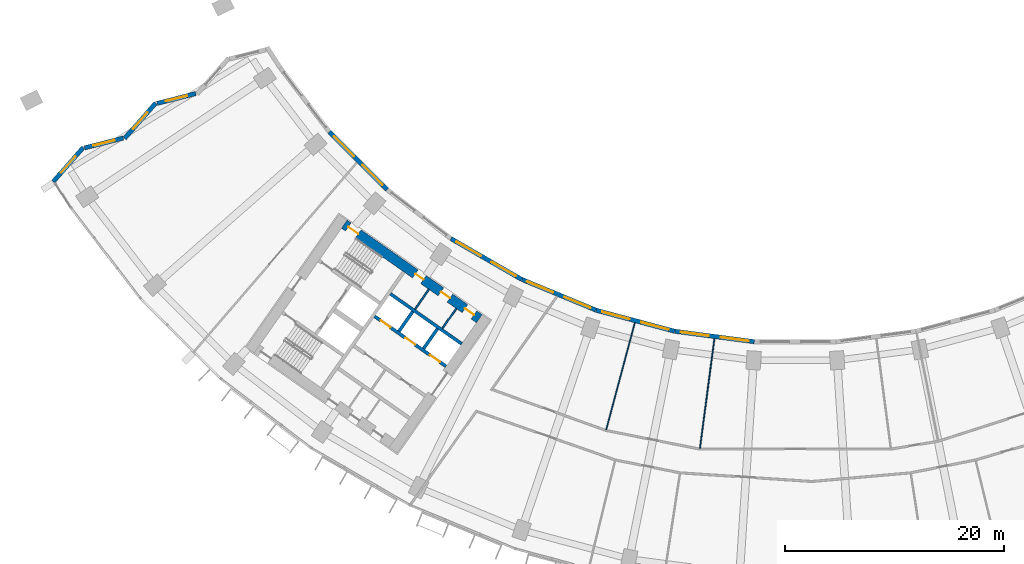
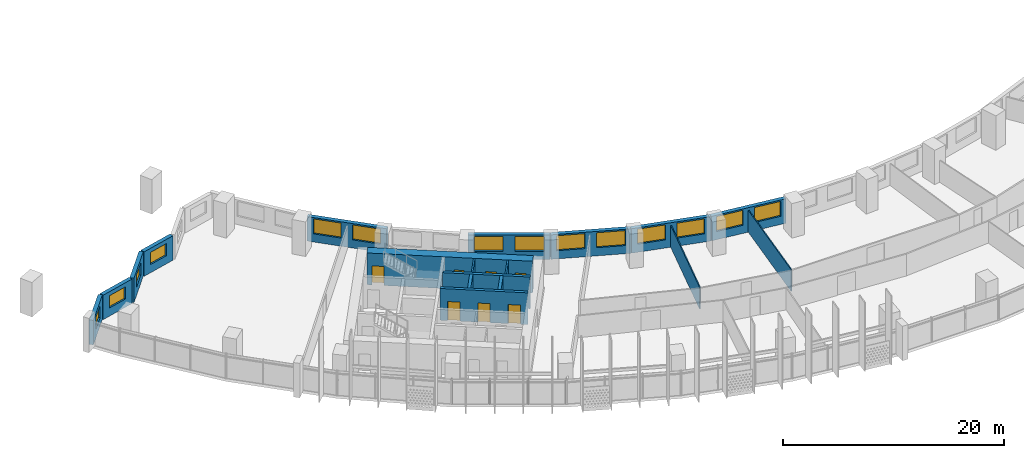
# One storey, part 4 of 32: 18 walls, 14 windows, 7 doors, 21 openings.
"""IFC4 building model written with IfcOpenShell, lengths in metres."""

from ifc_helpers import new_model, si_unit, direction, frame, frame_2d, origin, place, context, subcontext, project, spatial, rectangle, extrude, material, layer, layer_set, type_object, element, fill, save


model = new_model("IFC4")

# Units and contexts
model_context = context("Model", 3, precision=1e-05, world=origin(), true_north=direction((0.0, 1.0)))
body_context = subcontext(model_context, "Body", "Model", "MODEL_VIEW")
ifc_project = project(units=[si_unit("LENGTHUNIT", "METRE"), si_unit("AREAUNIT", "SQUARE_METRE"), si_unit("VOLUMEUNIT", "CUBIC_METRE"), si_unit("PLANEANGLEUNIT", "RADIAN"), si_unit("MASSUNIT", "GRAM", prefix="KILO")], contexts=[model_context])

# Site, building, storey
site_placement = place(None, origin())
site = spatial("IfcSite", under=ifc_project, at=site_placement, CompositionType="ELEMENT")
building_placement = place(site_placement, origin())
building = spatial("IfcBuilding", under=site, at=building_placement, Name="Qamariyya Broadcast Tower", CompositionType="ELEMENT")
storey_placement = place(building_placement, frame((0.0, 0.0, 70.89990234375)))
storey = spatial("IfcBuildingStorey", under=building, at=storey_placement, Name="L14", CompositionType="ELEMENT", Elevation=70.89990234375)

# Wall, openings, doors
ifc_material_1 = material(Name="Concrete C70/85", Category="concrete")
ifc_layer_1 = layer(ifc_material_1, 0.89990234375)
ifc_layer_set_1 = layer_set([ifc_layer_1], Name="Core wall 900 mm Concrete C70/85")
wall_type_1 = type_object("IfcWallType", Name="Core wall 900 mm Concrete C70/85", PredefinedType="SHEAR", material=ifc_layer_set_1)
wall_1_placement = place(storey_placement, frame((-28.8544921875, -54.32421875, 0.0), z_axis=(0.0, 0.0, 1.0), x_axis=(-0.819145767589, 0.573585400304, 0.0)))
wall_1 = element("IfcWall", 1, at=wall_1_placement, inside=storey, type_object=wall_type_1, Name="k-W-L14-WI", PredefinedType="SHEAR", context=body_context, shape_type="SweptSolid", body=[
    extrude(rectangle(XDim=15.04541015625, YDim=0.89990234375, at=frame_2d((7.522705078125, 0.0))), origin(), (0.0, 0.0, 1.0), 3.5),
])
opening_1_placement = place(wall_1_placement, frame((0.60009765625, 0.0, 0.0)))
opening_1 = element("IfcOpeningElement", 2, at=opening_1_placement, cuts=wall_1, Name="Opening KD7-W1", PredefinedType="OPENING", context=body_context, shape_type="SweptSolid", body=[
    extrude(rectangle(XDim=1.0, YDim=2.10009765625, at=frame_2d((0.5, 1.050048828125))), frame((0.0, 0.4599609375, 0.0), z_axis=(0.0, -1.0, 0.0), x_axis=(1.0, 0.0, 0.0)), (0.0, 0.0, 1.0), 0.919921875),
])
opening_2_placement = place(wall_1_placement, frame((3.27490234375, 0.0, 0.0)))
opening_2 = element("IfcOpeningElement", 3, at=opening_2_placement, cuts=wall_1, Name="Opening KD6-W2", PredefinedType="OPENING", context=body_context, shape_type="SweptSolid", body=[
    extrude(rectangle(XDim=1.0, YDim=2.10009765625, at=frame_2d((0.5, 1.050048828125))), frame((0.0, 0.4599609375, 0.0), z_axis=(0.0, -1.0, 0.0), x_axis=(1.0, 0.0, 0.0)), (0.0, 0.0, 1.0), 0.919921875),
])
opening_3_placement = place(wall_1_placement, frame((6.22509765625, 0.0, 0.0)))
opening_3 = element("IfcOpeningElement", 4, at=opening_3_placement, cuts=wall_1, Name="Opening KD5-W1", PredefinedType="OPENING", context=body_context, shape_type="SweptSolid", body=[
    extrude(rectangle(XDim=0.89990234375, YDim=2.10009765625, at=frame_2d((0.449951171875, 1.050048828125))), frame((0.0, 0.4599609375, 0.0), z_axis=(0.0, -1.0, 0.0), x_axis=(1.0, 0.0, 0.0)), (0.0, 0.0, 1.0), 0.919921875),
])
opening_4_placement = place(wall_1_placement, frame((13.495361328125, 0.0, 0.0)))
opening_4 = element("IfcOpeningElement", 5, at=opening_4_placement, cuts=wall_1, Name="Opening KD1-W1", PredefinedType="OPENING", context=body_context, shape_type="SweptSolid", body=[
    extrude(rectangle(XDim=1.10009765625, YDim=2.10009765625, at=frame_2d((0.550048828125, 1.050048828125))), frame((0.0, 0.4599609375, 0.0), z_axis=(0.0, -1.0, 0.0), x_axis=(1.0, 0.0, 0.0)), (0.0, 0.0, 1.0), 0.919921875),
])
ifc_material_2 = material(Name="Steel fire-resisting door leaf", Category="steel")
door_type_1 = type_object("IfcDoorType", Name="Accessible toilet door KD7", OperationType="SINGLE_SWING_LEFT", PredefinedType="DOOR", material=ifc_material_2)
door_1_placement = place(opening_1_placement, origin())
door_1 = element("IfcDoor", 6, at=door_1_placement, inside=storey, type_object=door_type_1, Name="k-W-L14-WI-D7", OperationType="SINGLE_SWING_RIGHT", OverallHeight=2.10009765625, OverallWidth=1.0, PredefinedType="DOOR", context=body_context, shape_type="SweptSolid", body=[
    extrude(rectangle(XDim=1.0, YDim=2.10009765625, at=frame_2d((0.5, 1.050048828125))), frame((0.0, 0.02490234375, 0.0), z_axis=(0.0, -1.0, 0.0), x_axis=(1.0, 0.0, 0.0)), (0.0, 0.0, 1.0), 0.050048828125),
])
fill(opening_1, door_1)
door_type_2 = type_object("IfcDoorType", Name="Core room door KD6", OperationType="SINGLE_SWING_LEFT", PredefinedType="DOOR", material=ifc_material_2)
door_2_placement = place(opening_2_placement, origin())
door_2 = element("IfcDoor", 7, at=door_2_placement, inside=storey, type_object=door_type_2, Name="k-W-L14-WI-D8", OperationType="SINGLE_SWING_LEFT", OverallHeight=2.10009765625, OverallWidth=1.0, PredefinedType="DOOR", context=body_context, shape_type="SweptSolid", body=[
    extrude(rectangle(XDim=1.0, YDim=2.10009765625, at=frame_2d((0.5, 1.050048828125))), frame((0.0, 0.02490234375, 0.0), z_axis=(0.0, -1.0, 0.0), x_axis=(1.0, 0.0, 0.0)), (0.0, 0.0, 1.0), 0.050048828125),
])
fill(opening_2, door_2)
door_type_3 = type_object("IfcDoorType", Name="Stair door KD1", OperationType="SINGLE_SWING_LEFT", PredefinedType="DOOR", material=ifc_material_2)
door_3_placement = place(opening_4_placement, origin())
door_3 = element("IfcDoor", 8, at=door_3_placement, inside=storey, type_object=door_type_3, Name="k-W-L14-WI-D16", OperationType="SINGLE_SWING_RIGHT", OverallHeight=2.10009765625, OverallWidth=1.10009765625, PredefinedType="DOOR", context=body_context, shape_type="SweptSolid", body=[
    extrude(rectangle(XDim=1.10009765625, YDim=2.10009765625, at=frame_2d((0.550048828125, 1.050048828125))), frame((0.0, 0.02490234375, 0.0), z_axis=(0.0, -1.0, 0.0), x_axis=(1.0, 0.0, 0.0)), (0.0, 0.0, 1.0), 0.050048828125),
])
fill(opening_4, door_3)
door_type_4 = type_object("IfcDoorType", Name="Toilet door KD5", OperationType="SINGLE_SWING_LEFT", PredefinedType="DOOR", material=ifc_material_2)
door_4_placement = place(opening_3_placement, origin())
door_4 = element("IfcDoor", 9, at=door_4_placement, inside=storey, type_object=door_type_4, Name="k-W-L14-WI-D9", OperationType="SINGLE_SWING_RIGHT", OverallHeight=2.10009765625, OverallWidth=0.89990234375, PredefinedType="DOOR", context=body_context, shape_type="SweptSolid", body=[
    extrude(rectangle(XDim=0.89990234375, YDim=2.10009765625, at=frame_2d((0.449951171875, 1.050048828125))), frame((0.0, 0.02490234375, 0.0), z_axis=(0.0, -1.0, 0.0), x_axis=(1.0, 0.0, 0.0)), (0.0, 0.0, 1.0), 0.050048828125),
])
fill(opening_3, door_4)

# Walls
ifc_material_3 = material(Name="Gypsum board partition on steel studs", Category="steel")
ifc_layer_2 = layer(ifc_material_3, 0.14990234375)
ifc_layer_set_2 = layer_set([ifc_layer_2], Name="Gypsum board partition 150 mm")
wall_type_2 = type_object("IfcWallType", Name="Gypsum board partition 150 mm", PredefinedType="PARTITIONING", material=ifc_layer_set_2)
wall_2_placement = place(storey_placement, frame((-32.2177734375, -55.204345703125, 0.0), z_axis=(0.0, 0.0, 1.0), x_axis=(0.573581496053, 0.819148501424, 0.0)))
element("IfcWall", 10, at=wall_2_placement, inside=storey, type_object=wall_type_2, Name="k-W-L14-NP225", PredefinedType="PARTITIONING", context=body_context, shape_type="SweptSolid", body=[
    extrude(rectangle(XDim=2.2001953125, YDim=0.14990234375, at=frame_2d((1.10009765625, 0.0))), origin(), (0.0, 0.0, 1.0), 3.5),
])
wall_3_placement = place(storey_placement, frame((-34.716064453125, -53.454833984375, 0.0), z_axis=(0.0, 0.0, 1.0), x_axis=(0.573507030513, 0.819200638399, 0.0)))
element("IfcWall", 11, at=wall_3_placement, inside=storey, type_object=wall_type_2, Name="k-W-L14-NP530", PredefinedType="PARTITIONING", context=body_context, shape_type="SweptSolid", body=[
    extrude(rectangle(XDim=2.199951171875, YDim=0.14990234375, at=frame_2d((1.10009765625, 0.0))), origin(), (0.0, 0.0, 1.0), 3.5),
])

# Wall, openings, doors
ifc_material_4 = material(Name="Concrete C60/75", Category="concrete")
ifc_layer_3 = layer(ifc_material_4, 0.300048828125)
ifc_layer_set_3 = layer_set([ifc_layer_3], Name="Lift shaft wall 300 mm Concrete C60/75")
wall_type_3 = type_object("IfcWallType", Name="Lift shaft wall 300 mm Concrete C60/75", PredefinedType="SOLIDWALL", material=ifc_layer_set_3)
wall_4_placement = place(storey_placement, frame((-31.89453125, -58.66552734375, 0.0), z_axis=(0.0, 0.0, 1.0), x_axis=(-0.819166993208, 0.573555086491, 0.0)))
wall_4 = element("IfcWall", 12, at=wall_4_placement, inside=storey, type_object=wall_type_3, Name="k-W-L14-NF0", PredefinedType="SOLIDWALL", context=body_context, shape_type="SweptSolid", body=[
    extrude(rectangle(XDim=7.9501953125, YDim=0.300048828125, at=frame_2d((3.97509765625, 0.0))), origin(), (0.0, 0.0, 1.0), 3.5),
])
opening_5_placement = place(wall_4_placement, frame((0.675048828125, 0.0, 0.0)))
opening_5 = element("IfcOpeningElement", 13, at=opening_5_placement, cuts=wall_4, Name="Opening LD", PredefinedType="OPENING", context=body_context, shape_type="SweptSolid", body=[
    extrude(rectangle(XDim=1.10009765625, YDim=2.10009765625, at=frame_2d((0.550048828125, 1.050048828125))), frame((0.0, 0.159912109375, 0.0), z_axis=(0.0, -1.0, 0.0), x_axis=(1.0, 0.0, 0.0)), (0.0, 0.0, 1.0), 0.320068359375),
])
opening_6_placement = place(wall_4_placement, frame((3.425048828125, 0.0, 0.0)))
opening_6 = element("IfcOpeningElement", 14, at=opening_6_placement, cuts=wall_4, Name="Opening LD", PredefinedType="OPENING", context=body_context, shape_type="SweptSolid", body=[
    extrude(rectangle(XDim=1.10009765625, YDim=2.10009765625, at=frame_2d((0.550048828125, 1.050048828125))), frame((0.0, 0.159912109375, 0.0), z_axis=(0.0, -1.0, 0.0), x_axis=(1.0, 0.0, 0.0)), (0.0, 0.0, 1.0), 0.320068359375),
])
opening_7_placement = place(wall_4_placement, frame((6.175048828125, 0.0, 0.0)))
opening_7 = element("IfcOpeningElement", 15, at=opening_7_placement, cuts=wall_4, Name="Opening LD", PredefinedType="OPENING", context=body_context, shape_type="SweptSolid", body=[
    extrude(rectangle(XDim=1.10009765625, YDim=2.10009765625, at=frame_2d((0.550048828125, 1.050048828125))), frame((0.0, 0.159912109375, 0.0), z_axis=(0.0, -1.0, 0.0), x_axis=(1.0, 0.0, 0.0)), (0.0, 0.0, 1.0), 0.320068359375),
])
door_type_5 = type_object("IfcDoorType", Name="Lift landing door LD", OperationType="DOUBLE_DOOR_SLIDING", PredefinedType="DOOR", material=ifc_material_2)
door_5_placement = place(opening_5_placement, origin())
door_5 = element("IfcDoor", 16, at=door_5_placement, inside=storey, type_object=door_type_5, Name="k-W-L14-NF0-D2", OperationType="DOUBLE_DOOR_SLIDING", OverallHeight=2.10009765625, OverallWidth=1.10009765625, PredefinedType="DOOR", context=body_context, shape_type="SweptSolid", body=[
    extrude(rectangle(XDim=1.10009765625, YDim=2.10009765625, at=frame_2d((0.550048828125, 1.050048828125))), frame((0.0, 0.02490234375, 0.0), z_axis=(0.0, -1.0, 0.0), x_axis=(1.0, 0.0, 0.0)), (0.0, 0.0, 1.0), 0.050048828125),
])
fill(opening_5, door_5)
door_6_placement = place(opening_6_placement, origin())
door_6 = element("IfcDoor", 17, at=door_6_placement, inside=storey, type_object=door_type_5, Name="k-W-L14-NF0-D3", OperationType="DOUBLE_DOOR_SLIDING", OverallHeight=2.10009765625, OverallWidth=1.10009765625, PredefinedType="DOOR", context=body_context, shape_type="SweptSolid", body=[
    extrude(rectangle(XDim=1.10009765625, YDim=2.10009765625, at=frame_2d((0.550048828125, 1.050048828125))), frame((0.0, 0.02490234375, 0.0), z_axis=(0.0, -1.0, 0.0), x_axis=(1.0, 0.0, 0.0)), (0.0, 0.0, 1.0), 0.050048828125),
])
fill(opening_6, door_6)
door_7_placement = place(opening_7_placement, origin())
door_7 = element("IfcDoor", 18, at=door_7_placement, inside=storey, type_object=door_type_5, Name="k-W-L14-NF0-D4", OperationType="DOUBLE_DOOR_SLIDING", OverallHeight=2.10009765625, OverallWidth=1.10009765625, PredefinedType="DOOR", context=body_context, shape_type="SweptSolid", body=[
    extrude(rectangle(XDim=1.10009765625, YDim=2.10009765625, at=frame_2d((0.550048828125, 1.050048828125))), frame((0.0, 0.02490234375, 0.0), z_axis=(0.0, -1.0, 0.0), x_axis=(1.0, 0.0, 0.0)), (0.0, 0.0, 1.0), 0.050048828125),
])
fill(opening_7, door_7)

# Walls
wall_5_placement = place(storey_placement, frame((-30.460693359375, -56.61767578125, 0.0), z_axis=(0.0, 0.0, 1.0), x_axis=(-0.819142461705, 0.573590121456, 0.0)))
element("IfcWall", 19, at=wall_5_placement, inside=storey, type_object=wall_type_3, Name="k-W-L14-NB0", PredefinedType="SOLIDWALL", context=body_context, shape_type="SweptSolid", body=[
    extrude(rectangle(XDim=7.949951171875, YDim=0.300048828125, at=frame_2d((3.97509765625, 0.0))), origin(), (0.0, 0.0, 1.0), 3.5),
])
wall_6_placement = place(storey_placement, frame((-33.9384765625, -57.051513671875, 0.0), z_axis=(0.0, 0.0, 1.0), x_axis=(0.573581496053, 0.819148501424, 0.0)))
element("IfcWall", 20, at=wall_6_placement, inside=storey, type_object=wall_type_3, Name="k-W-L14-ND0", PredefinedType="SOLIDWALL", context=body_context, shape_type="SweptSolid", body=[
    extrude(rectangle(XDim=2.2001953125, YDim=0.300048828125, at=frame_2d((1.10009765625, 0.0))), origin(), (0.0, 0.0, 1.0), 3.5),
])
wall_7_placement = place(storey_placement, frame((-36.19091796875, -55.47412109375, 0.0), z_axis=(0.0, 0.0, 1.0), x_axis=(0.573507030513, 0.819200638399, 0.0)))
element("IfcWall", 21, at=wall_7_placement, inside=storey, type_object=wall_type_3, Name="k-W-L14-ND1", PredefinedType="SOLIDWALL", context=body_context, shape_type="SweptSolid", body=[
    extrude(rectangle(XDim=2.199951171875, YDim=0.300048828125, at=frame_2d((1.10009765625, 0.0))), origin(), (0.0, 0.0, 1.0), 3.5),
])
ifc_material_5 = material(Name="Gypsum board partition")
ifc_layer_4 = layer(ifc_material_5, 0.10009765625)
ifc_layer_set_4 = layer_set([ifc_layer_4], Name="Partition 100")
wall_type_4 = type_object("IfcWallType", Name="Partition 100", PredefinedType="PARTITIONING", material=ifc_layer_set_4)
for number, where, z_axis, x_axis, name in (
    (22, (-14.65673828125, -54.69970703125, 0.0), (0.0, 0.0, 1.0), (-0.258825935876, -0.965923979885, 0.0), "Partition L14-009"),
    (23, (-7.3916015625, -56.144775390625, 0.0), (0.0, 0.0, 1.0), (-0.130538336764, -0.991443262439, 0.0), "Partition L14-013"),
):
    element("IfcWall", number, at=place(storey_placement, frame(where, z_axis=z_axis, x_axis=x_axis)), inside=storey, type_object=wall_type_4, Name=name, PredefinedType="PARTITIONING", context=body_context, shape_type="SweptSolid", body=[
        extrude(rectangle(XDim=10.095703125, YDim=0.10009765625, at=frame_2d((5.0478515625, 0.0))), origin(), (0.0, 0.0, 1.0), 2.400146484375),
    ])

# Wall, opening, window
ifc_material_6 = material(Name="Terracotta", Category="masonry")
ifc_layer_5 = layer(ifc_material_6, 0.39990234375)
ifc_layer_set_5 = layer_set([ifc_layer_5], Name="Terracotta clad wall 400")
wall_type_5 = type_object("IfcWallType", Name="Terracotta clad wall 400", PredefinedType="SOLIDWALL", material=ifc_layer_set_5)
wall_8_placement = place(storey_placement, frame((-54.7333984375, -33.766845703125, 0.0), z_axis=(0.0, 0.0, 1.0), x_axis=(-0.968917710624, -0.247383245266, 0.0)))
wall_8 = element("IfcWall", 24, at=wall_8_placement, inside=storey, type_object=wall_type_5, Name="e-wl-L14-capW2", PredefinedType="SOLIDWALL", context=body_context, shape_type="SweptSolid", body=[
    extrude(rectangle(XDim=3.6474609375, YDim=0.39990234375, at=frame_2d((1.82373046875, 0.0))), origin(), (0.0, 0.0, 1.0), 2.7001953125),
])
opening_8_placement = place(wall_8_placement, frame((0.82373046875, 0.0, 0.89990234375)))
opening_8 = element("IfcOpeningElement", 25, at=opening_8_placement, cuts=wall_8, Name="Opening W4", PredefinedType="OPENING", context=body_context, shape_type="SweptSolid", body=[
    extrude(rectangle(XDim=2.0, YDim=1.35009765625, at=frame_2d((1.0, 0.675048828125))), frame((0.0, 0.2099609375, 0.0), z_axis=(0.0, -1.0, 0.0), x_axis=(1.0, 0.0, 0.0)), (0.0, 0.0, 1.0), 0.419921875),
])
ifc_material_7 = material(Name="Clear low-e double glazed unit in aluminium frame", Category="aluminium")
window_type_1 = type_object("IfcWindowType", Name="Horn bay window 2000 x 1350", PartitioningType="SINGLE_PANEL", PredefinedType="WINDOW", material=ifc_material_7)
window_1_placement = place(opening_8_placement, origin())
window_1 = element("IfcWindow", 26, at=window_1_placement, inside=storey, type_object=window_type_1, Name="e-w-L14-capW2", OverallHeight=1.35009765625, OverallWidth=2.0, PartitioningType="SINGLE_PANEL", PredefinedType="WINDOW", context=body_context, shape_type="SweptSolid", body=[
    extrude(rectangle(XDim=2.0, YDim=1.35009765625, at=frame_2d((1.0, 0.675048828125))), frame((0.0, 0.030029296875, 0.0), z_axis=(0.0, -1.0, 0.0), x_axis=(1.0, 0.0, 0.0)), (0.0, 0.0, 1.0), 0.06005859375),
])
fill(opening_8, window_1)

wall_9_placement = place(storey_placement, frame((-58.39208984375, -34.636962890625, 0.0), z_axis=(0.0, 0.0, 1.0), x_axis=(-0.660434355072, -0.750883787707, 0.0)))
wall_9 = element("IfcWall", 27, at=wall_9_placement, inside=storey, type_object=wall_type_5, Name="e-wl-L14-capW3", PredefinedType="SOLIDWALL", context=body_context, shape_type="SweptSolid", body=[
    extrude(rectangle(XDim=4.29443359375, YDim=0.39990234375, at=frame_2d((2.147216796875, 0.0))), origin(), (0.0, 0.0, 1.0), 2.7001953125),
])
opening_9_placement = place(wall_9_placement, frame((1.147216796875, 0.0, 0.89990234375)))
opening_9 = element("IfcOpeningElement", 28, at=opening_9_placement, cuts=wall_9, Name="Opening W4", PredefinedType="OPENING", context=body_context, shape_type="SweptSolid", body=[
    extrude(rectangle(XDim=2.0, YDim=1.35009765625, at=frame_2d((1.0, 0.675048828125))), frame((0.0, 0.2099609375, 0.0), z_axis=(0.0, -1.0, 0.0), x_axis=(1.0, 0.0, 0.0)), (0.0, 0.0, 1.0), 0.419921875),
])
window_2_placement = place(opening_9_placement, origin())
window_2 = element("IfcWindow", 29, at=window_2_placement, inside=storey, type_object=window_type_1, Name="e-w-L14-capW3", OverallHeight=1.35009765625, OverallWidth=2.0, PartitioningType="SINGLE_PANEL", PredefinedType="WINDOW", context=body_context, shape_type="SweptSolid", body=[
    extrude(rectangle(XDim=2.0, YDim=1.35009765625, at=frame_2d((1.0, 0.675048828125))), frame((0.0, 0.030029296875, 0.0), z_axis=(0.0, -1.0, 0.0), x_axis=(1.0, 0.0, 0.0)), (0.0, 0.0, 1.0), 0.06005859375),
])
fill(opening_9, window_2)

wall_10_placement = place(storey_placement, frame((-61.352783203125, -37.829345703125, 0.0), z_axis=(0.0, 0.0, 1.0), x_axis=(-0.968885967077, -0.247507540899, 0.0)))
wall_10 = element("IfcWall", 30, at=wall_10_placement, inside=storey, type_object=wall_type_5, Name="e-wl-L14-capW4", PredefinedType="SOLIDWALL", context=body_context, shape_type="SweptSolid", body=[
    extrude(rectangle(XDim=3.648681640625, YDim=0.39990234375, at=frame_2d((1.82421875, 0.0))), origin(), (0.0, 0.0, 1.0), 2.7001953125),
])
opening_10_placement = place(wall_10_placement, frame((0.824462890625, 0.0, 0.89990234375)))
opening_10 = element("IfcOpeningElement", 31, at=opening_10_placement, cuts=wall_10, Name="Opening W4", PredefinedType="OPENING", context=body_context, shape_type="SweptSolid", body=[
    extrude(rectangle(XDim=2.0, YDim=1.35009765625, at=frame_2d((1.0, 0.675048828125))), frame((0.0, 0.2099609375, 0.0), z_axis=(0.0, -1.0, 0.0), x_axis=(1.0, 0.0, 0.0)), (0.0, 0.0, 1.0), 0.419921875),
])
window_3_placement = place(opening_10_placement, origin())
window_3 = element("IfcWindow", 32, at=window_3_placement, inside=storey, type_object=window_type_1, Name="e-w-L14-capW4", OverallHeight=1.35009765625, OverallWidth=2.0, PartitioningType="SINGLE_PANEL", PredefinedType="WINDOW", context=body_context, shape_type="SweptSolid", body=[
    extrude(rectangle(XDim=2.0, YDim=1.35009765625, at=frame_2d((1.0, 0.675048828125))), frame((0.0, 0.030029296875, 0.0), z_axis=(0.0, -1.0, 0.0), x_axis=(1.0, 0.0, 0.0)), (0.0, 0.0, 1.0), 0.06005859375),
])
fill(opening_10, window_3)

wall_11_placement = place(storey_placement, frame((-65.012451171875, -38.699951171875, 0.0), z_axis=(0.0, 0.0, 1.0), x_axis=(-0.660372824518, -0.750937901986, 0.0)))
wall_11 = element("IfcWall", 33, at=wall_11_placement, inside=storey, type_object=wall_type_5, Name="e-wl-L14-capW5", PredefinedType="SOLIDWALL", context=body_context, shape_type="SweptSolid", body=[
    extrude(rectangle(XDim=4.121826171875, YDim=0.39990234375, at=frame_2d((2.06103515625, 0.0))), origin(), (0.0, 0.0, 1.0), 2.7001953125),
])
opening_11_placement = place(wall_11_placement, frame((1.060791015625, 0.0, 0.89990234375)))
opening_11 = element("IfcOpeningElement", 34, at=opening_11_placement, cuts=wall_11, Name="Opening W4", PredefinedType="OPENING", context=body_context, shape_type="SweptSolid", body=[
    extrude(rectangle(XDim=2.0, YDim=1.35009765625, at=frame_2d((1.0, 0.675048828125))), frame((0.0, 0.2099609375, 0.0), z_axis=(0.0, -1.0, 0.0), x_axis=(1.0, 0.0, 0.0)), (0.0, 0.0, 1.0), 0.419921875),
])
window_4_placement = place(opening_11_placement, origin())
window_4 = element("IfcWindow", 35, at=window_4_placement, inside=storey, type_object=window_type_1, Name="e-w-L14-capW5", OverallHeight=1.35009765625, OverallWidth=2.0, PartitioningType="SINGLE_PANEL", PredefinedType="WINDOW", context=body_context, shape_type="SweptSolid", body=[
    extrude(rectangle(XDim=2.0, YDim=1.35009765625, at=frame_2d((1.0, 0.675048828125))), frame((0.0, 0.030029296875, 0.0), z_axis=(0.0, -1.0, 0.0), x_axis=(1.0, 0.0, 0.0)), (0.0, 0.0, 1.0), 0.06005859375),
])
fill(opening_11, window_4)

# Wall, openings, windows
wall_12_placement = place(storey_placement, frame((-37.2685546875, -42.534423828125, 0.0), z_axis=(0.0, 0.0, 1.0), x_axis=(-0.707106781187, 0.707106781187, 0.0)))
wall_12 = element("IfcWall", 36, at=wall_12_placement, inside=storey, type_object=wall_type_5, Name="e-wl-L14-in20", PredefinedType="SOLIDWALL", context=body_context, shape_type="SweptSolid", body=[
    extrude(rectangle(XDim=7.447021484375, YDim=0.39990234375, at=frame_2d((3.7236328125, 0.0))), origin(), (0.0, 0.0, 1.0), 2.7001953125),
])
opening_12_placement = place(wall_12_placement, frame((4.266357421875, 0.0, 0.89990234375)))
opening_12 = element("IfcOpeningElement", 37, at=opening_12_placement, cuts=wall_12, Name="Opening W1", PredefinedType="OPENING", context=body_context, shape_type="SweptSolid", body=[
    extrude(rectangle(XDim=2.60009765625, YDim=1.64990234375, at=frame_2d((1.300048828125, 0.824951171875))), frame((0.0, 0.2099609375, 0.0), z_axis=(0.0, -1.0, 0.0), x_axis=(1.0, 0.0, 0.0)), (0.0, 0.0, 1.0), 0.419921875),
])
opening_13_placement = place(wall_12_placement, frame((0.580810546875, 0.0, 0.89990234375)))
opening_13 = element("IfcOpeningElement", 38, at=opening_13_placement, cuts=wall_12, Name="Opening W1", PredefinedType="OPENING", context=body_context, shape_type="SweptSolid", body=[
    extrude(rectangle(XDim=2.60009765625, YDim=1.64990234375, at=frame_2d((1.300048828125, 0.824951171875))), frame((0.0, 0.2099609375, 0.0), z_axis=(0.0, -1.0, 0.0), x_axis=(1.0, 0.0, 0.0)), (0.0, 0.0, 1.0), 0.419921875),
])
window_type_2 = type_object("IfcWindowType", Name="Ribbon window 2600 x 1650", PartitioningType="SINGLE_PANEL", PredefinedType="WINDOW", material=ifc_material_7)
window_5_placement = place(opening_12_placement, origin())
window_5 = element("IfcWindow", 39, at=window_5_placement, inside=storey, type_object=window_type_2, Name="e-w-L14-in02-0", OverallHeight=1.64990234375, OverallWidth=2.60009765625, PartitioningType="SINGLE_PANEL", PredefinedType="WINDOW", context=body_context, shape_type="SweptSolid", body=[
    extrude(rectangle(XDim=2.60009765625, YDim=1.64990234375, at=frame_2d((1.300048828125, 0.824951171875))), frame((0.0, 0.030029296875, 0.0), z_axis=(0.0, -1.0, 0.0), x_axis=(1.0, 0.0, 0.0)), (0.0, 0.0, 1.0), 0.06005859375),
])
fill(opening_12, window_5)
window_6_placement = place(opening_13_placement, origin())
window_6 = element("IfcWindow", 40, at=window_6_placement, inside=storey, type_object=window_type_2, Name="e-w-L14-in02-1", OverallHeight=1.64990234375, OverallWidth=2.60009765625, PartitioningType="SINGLE_PANEL", PredefinedType="WINDOW", context=body_context, shape_type="SweptSolid", body=[
    extrude(rectangle(XDim=2.60009765625, YDim=1.64990234375, at=frame_2d((1.300048828125, 0.824951171875))), frame((0.0, 0.030029296875, 0.0), z_axis=(0.0, -1.0, 0.0), x_axis=(1.0, 0.0, 0.0)), (0.0, 0.0, 1.0), 0.06005859375),
])
fill(opening_13, window_6)

wall_13_placement = place(storey_placement, frame((-24.989990234375, -50.73095703125, 0.0), z_axis=(0.0, 0.0, 1.0), x_axis=(-0.866037641005, 0.499978803913, 0.0)))
wall_13 = element("IfcWall", 41, at=wall_13_placement, inside=storey, type_object=wall_type_5, Name="e-wl-L14-in40", PredefinedType="SOLIDWALL", context=body_context, shape_type="SweptSolid", body=[
    extrude(rectangle(XDim=7.447021484375, YDim=0.39990234375, at=frame_2d((3.7236328125, 0.0))), origin(), (0.0, 0.0, 1.0), 2.7001953125),
])
opening_14_placement = place(wall_13_placement, frame((4.266357421875, 0.0, 0.89990234375)))
opening_14 = element("IfcOpeningElement", 42, at=opening_14_placement, cuts=wall_13, Name="Opening W1", PredefinedType="OPENING", context=body_context, shape_type="SweptSolid", body=[
    extrude(rectangle(XDim=2.60009765625, YDim=1.64990234375, at=frame_2d((1.300048828125, 0.824951171875))), frame((0.0, 0.2099609375, 0.0), z_axis=(0.0, -1.0, 0.0), x_axis=(1.0, 0.0, 0.0)), (0.0, 0.0, 1.0), 0.419921875),
])
opening_15_placement = place(wall_13_placement, frame((0.580810546875, 0.0, 0.89990234375)))
opening_15 = element("IfcOpeningElement", 43, at=opening_15_placement, cuts=wall_13, Name="Opening W1", PredefinedType="OPENING", context=body_context, shape_type="SweptSolid", body=[
    extrude(rectangle(XDim=2.60009765625, YDim=1.64990234375, at=frame_2d((1.300048828125, 0.824951171875))), frame((0.0, 0.2099609375, 0.0), z_axis=(0.0, -1.0, 0.0), x_axis=(1.0, 0.0, 0.0)), (0.0, 0.0, 1.0), 0.419921875),
])
window_7_placement = place(opening_14_placement, origin())
window_7 = element("IfcWindow", 44, at=window_7_placement, inside=storey, type_object=window_type_2, Name="e-w-L14-in04-0", OverallHeight=1.64990234375, OverallWidth=2.60009765625, PartitioningType="SINGLE_PANEL", PredefinedType="WINDOW", context=body_context, shape_type="SweptSolid", body=[
    extrude(rectangle(XDim=2.60009765625, YDim=1.64990234375, at=frame_2d((1.300048828125, 0.824951171875))), frame((0.0, 0.030029296875, 0.0), z_axis=(0.0, -1.0, 0.0), x_axis=(1.0, 0.0, 0.0)), (0.0, 0.0, 1.0), 0.06005859375),
])
fill(opening_14, window_7)
window_8_placement = place(opening_15_placement, origin())
window_8 = element("IfcWindow", 45, at=window_8_placement, inside=storey, type_object=window_type_2, Name="e-w-L14-in04-1", OverallHeight=1.64990234375, OverallWidth=2.60009765625, PartitioningType="SINGLE_PANEL", PredefinedType="WINDOW", context=body_context, shape_type="SweptSolid", body=[
    extrude(rectangle(XDim=2.60009765625, YDim=1.64990234375, at=frame_2d((1.300048828125, 0.824951171875))), frame((0.0, 0.030029296875, 0.0), z_axis=(0.0, -1.0, 0.0), x_axis=(1.0, 0.0, 0.0)), (0.0, 0.0, 1.0), 0.06005859375),
])
fill(opening_15, window_8)

wall_14_placement = place(storey_placement, frame((-18.224365234375, -53.52978515625, 0.0), z_axis=(0.0, 0.0, 1.0), x_axis=(-0.923891626322, 0.382654234018, 0.0)))
wall_14 = element("IfcWall", 46, at=wall_14_placement, inside=storey, type_object=wall_type_5, Name="e-wl-L14-in50", PredefinedType="SOLIDWALL", context=body_context, shape_type="SweptSolid", body=[
    extrude(rectangle(XDim=7.295654296875, YDim=0.39990234375, at=frame_2d((3.64794921875, 0.0))), origin(), (0.0, 0.0, 1.0), 2.7001953125),
])
opening_16_placement = place(wall_14_placement, frame((4.190673828125, 0.0, 0.89990234375)))
opening_16 = element("IfcOpeningElement", 47, at=opening_16_placement, cuts=wall_14, Name="Opening W1", PredefinedType="OPENING", context=body_context, shape_type="SweptSolid", body=[
    extrude(rectangle(XDim=2.60009765625, YDim=1.64990234375, at=frame_2d((1.300048828125, 0.824951171875))), frame((0.0, 0.2099609375, 0.0), z_axis=(0.0, -1.0, 0.0), x_axis=(1.0, 0.0, 0.0)), (0.0, 0.0, 1.0), 0.419921875),
])
opening_17_placement = place(wall_14_placement, frame((0.505126953125, 0.0, 0.89990234375)))
opening_17 = element("IfcOpeningElement", 48, at=opening_17_placement, cuts=wall_14, Name="Opening W1", PredefinedType="OPENING", context=body_context, shape_type="SweptSolid", body=[
    extrude(rectangle(XDim=2.60009765625, YDim=1.64990234375, at=frame_2d((1.300048828125, 0.824951171875))), frame((0.0, 0.2099609375, 0.0), z_axis=(0.0, -1.0, 0.0), x_axis=(1.0, 0.0, 0.0)), (0.0, 0.0, 1.0), 0.419921875),
])
window_9_placement = place(opening_16_placement, origin())
window_9 = element("IfcWindow", 49, at=window_9_placement, inside=storey, type_object=window_type_2, Name="e-w-L14-in05-0", OverallHeight=1.64990234375, OverallWidth=2.60009765625, PartitioningType="SINGLE_PANEL", PredefinedType="WINDOW", context=body_context, shape_type="SweptSolid", body=[
    extrude(rectangle(XDim=2.60009765625, YDim=1.64990234375, at=frame_2d((1.300048828125, 0.824951171875))), frame((0.0, 0.030029296875, 0.0), z_axis=(0.0, -1.0, 0.0), x_axis=(1.0, 0.0, 0.0)), (0.0, 0.0, 1.0), 0.06005859375),
])
fill(opening_16, window_9)
window_10_placement = place(opening_17_placement, origin())
window_10 = element("IfcWindow", 50, at=window_10_placement, inside=storey, type_object=window_type_2, Name="e-w-L14-in05-1", OverallHeight=1.64990234375, OverallWidth=2.60009765625, PartitioningType="SINGLE_PANEL", PredefinedType="WINDOW", context=body_context, shape_type="SweptSolid", body=[
    extrude(rectangle(XDim=2.60009765625, YDim=1.64990234375, at=frame_2d((1.300048828125, 0.824951171875))), frame((0.0, 0.030029296875, 0.0), z_axis=(0.0, -1.0, 0.0), x_axis=(1.0, 0.0, 0.0)), (0.0, 0.0, 1.0), 0.06005859375),
])
fill(opening_17, window_10)

wall_15_placement = place(storey_placement, frame((-11.00830078125, -55.47021484375, 0.0), z_axis=(0.0, 0.0, 1.0), x_axis=(-0.965924637935, 0.25882348006, 0.0)))
wall_15 = element("IfcWall", 51, at=wall_15_placement, inside=storey, type_object=wall_type_5, Name="e-wl-L14-in60", PredefinedType="SOLIDWALL", context=body_context, shape_type="SweptSolid", body=[
    extrude(rectangle(XDim=7.447021484375, YDim=0.39990234375, at=frame_2d((3.7236328125, 0.0))), origin(), (0.0, 0.0, 1.0), 2.7001953125),
])
opening_18_placement = place(wall_15_placement, frame((4.266357421875, 0.0, 0.89990234375)))
opening_18 = element("IfcOpeningElement", 52, at=opening_18_placement, cuts=wall_15, Name="Opening W1", PredefinedType="OPENING", context=body_context, shape_type="SweptSolid", body=[
    extrude(rectangle(XDim=2.60009765625, YDim=1.64990234375, at=frame_2d((1.300048828125, 0.824951171875))), frame((0.0, 0.2099609375, 0.0), z_axis=(0.0, -1.0, 0.0), x_axis=(1.0, 0.0, 0.0)), (0.0, 0.0, 1.0), 0.419921875),
])
opening_19_placement = place(wall_15_placement, frame((0.580810546875, 0.0, 0.89990234375)))
opening_19 = element("IfcOpeningElement", 53, at=opening_19_placement, cuts=wall_15, Name="Opening W1", PredefinedType="OPENING", context=body_context, shape_type="SweptSolid", body=[
    extrude(rectangle(XDim=2.60009765625, YDim=1.64990234375, at=frame_2d((1.300048828125, 0.824951171875))), frame((0.0, 0.2099609375, 0.0), z_axis=(0.0, -1.0, 0.0), x_axis=(1.0, 0.0, 0.0)), (0.0, 0.0, 1.0), 0.419921875),
])
window_11_placement = place(opening_18_placement, origin())
window_11 = element("IfcWindow", 54, at=window_11_placement, inside=storey, type_object=window_type_2, Name="e-w-L14-in06-0", OverallHeight=1.64990234375, OverallWidth=2.60009765625, PartitioningType="SINGLE_PANEL", PredefinedType="WINDOW", context=body_context, shape_type="SweptSolid", body=[
    extrude(rectangle(XDim=2.60009765625, YDim=1.64990234375, at=frame_2d((1.300048828125, 0.824951171875))), frame((0.0, 0.030029296875, 0.0), z_axis=(0.0, -1.0, 0.0), x_axis=(1.0, 0.0, 0.0)), (0.0, 0.0, 1.0), 0.06005859375),
])
fill(opening_18, window_11)
window_12_placement = place(opening_19_placement, origin())
window_12 = element("IfcWindow", 55, at=window_12_placement, inside=storey, type_object=window_type_2, Name="e-w-L14-in06-1", OverallHeight=1.64990234375, OverallWidth=2.60009765625, PartitioningType="SINGLE_PANEL", PredefinedType="WINDOW", context=body_context, shape_type="SweptSolid", body=[
    extrude(rectangle(XDim=2.60009765625, YDim=1.64990234375, at=frame_2d((1.300048828125, 0.824951171875))), frame((0.0, 0.030029296875, 0.0), z_axis=(0.0, -1.0, 0.0), x_axis=(1.0, 0.0, 0.0)), (0.0, 0.0, 1.0), 0.06005859375),
])
fill(opening_19, window_12)

wall_16_placement = place(storey_placement, frame((-3.748779296875, -56.422607421875, 0.0), z_axis=(0.0, 0.0, 1.0), x_axis=(-0.99144746031, 0.130506449818, 0.0)))
wall_16 = element("IfcWall", 56, at=wall_16_placement, inside=storey, type_object=wall_type_5, Name="e-wl-L14-in70", PredefinedType="SOLIDWALL", context=body_context, shape_type="SweptSolid", body=[
    extrude(rectangle(XDim=7.2958984375, YDim=0.39990234375, at=frame_2d((3.64794921875, 0.0))), origin(), (0.0, 0.0, 1.0), 2.7001953125),
])
opening_20_placement = place(wall_16_placement, frame((4.190673828125, 0.0, 0.89990234375)))
opening_20 = element("IfcOpeningElement", 57, at=opening_20_placement, cuts=wall_16, Name="Opening W1", PredefinedType="OPENING", context=body_context, shape_type="SweptSolid", body=[
    extrude(rectangle(XDim=2.60009765625, YDim=1.64990234375, at=frame_2d((1.300048828125, 0.824951171875))), frame((0.0, 0.2099609375, 0.0), z_axis=(0.0, -1.0, 0.0), x_axis=(1.0, 0.0, 0.0)), (0.0, 0.0, 1.0), 0.419921875),
])
opening_21_placement = place(wall_16_placement, frame((0.505126953125, 0.0, 0.89990234375)))
opening_21 = element("IfcOpeningElement", 58, at=opening_21_placement, cuts=wall_16, Name="Opening W1", PredefinedType="OPENING", context=body_context, shape_type="SweptSolid", body=[
    extrude(rectangle(XDim=2.60009765625, YDim=1.64990234375, at=frame_2d((1.300048828125, 0.824951171875))), frame((0.0, 0.2099609375, 0.0), z_axis=(0.0, -1.0, 0.0), x_axis=(1.0, 0.0, 0.0)), (0.0, 0.0, 1.0), 0.419921875),
])
window_13_placement = place(opening_20_placement, origin())
window_13 = element("IfcWindow", 59, at=window_13_placement, inside=storey, type_object=window_type_2, Name="e-w-L14-in07-0", OverallHeight=1.64990234375, OverallWidth=2.60009765625, PartitioningType="SINGLE_PANEL", PredefinedType="WINDOW", context=body_context, shape_type="SweptSolid", body=[
    extrude(rectangle(XDim=2.60009765625, YDim=1.64990234375, at=frame_2d((1.300048828125, 0.824951171875))), frame((0.0, 0.030029296875, 0.0), z_axis=(0.0, -1.0, 0.0), x_axis=(1.0, 0.0, 0.0)), (0.0, 0.0, 1.0), 0.06005859375),
])
fill(opening_20, window_13)
window_14_placement = place(opening_21_placement, origin())
window_14 = element("IfcWindow", 60, at=window_14_placement, inside=storey, type_object=window_type_2, Name="e-w-L14-in07-1", OverallHeight=1.64990234375, OverallWidth=2.60009765625, PartitioningType="SINGLE_PANEL", PredefinedType="WINDOW", context=body_context, shape_type="SweptSolid", body=[
    extrude(rectangle(XDim=2.60009765625, YDim=1.64990234375, at=frame_2d((1.300048828125, 0.824951171875))), frame((0.0, 0.030029296875, 0.0), z_axis=(0.0, -1.0, 0.0), x_axis=(1.0, 0.0, 0.0)), (0.0, 0.0, 1.0), 0.06005859375),
])
fill(opening_21, window_14)

save(model, "model.ifc")
